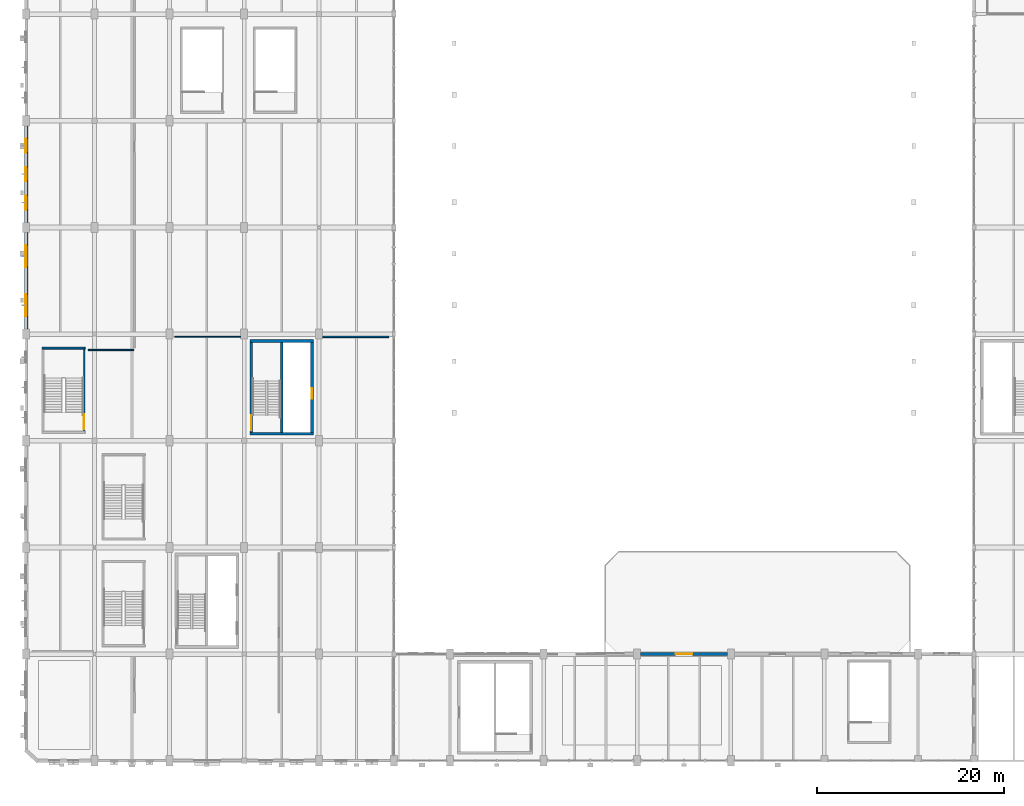
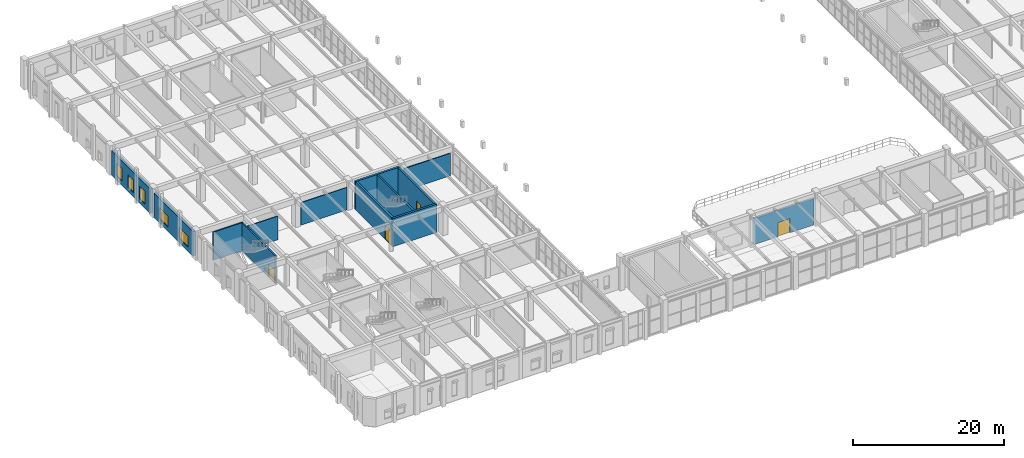
# One storey, part 81 of 106: 13 walls, 5 windows, 4 doors, 9 openings.
"""IFC4 building model written with IfcOpenShell, lengths in metres."""

from ifc_helpers import new_model, si_unit, direction, frame, frame_2d, origin, place, context, subcontext, project, spatial, rectangle, extrude, material, layer, layer_set, type_object, element, fill, save


model = new_model("IFC4")

# Units and contexts
model_context = context("Model", 3, precision=1e-05, world=origin(), true_north=direction((0.0, 1.0)))
body_context = subcontext(model_context, "Body", "Model", "MODEL_VIEW")
ifc_project = project(units=[si_unit("LENGTHUNIT", "METRE"), si_unit("AREAUNIT", "SQUARE_METRE"), si_unit("VOLUMEUNIT", "CUBIC_METRE"), si_unit("PLANEANGLEUNIT", "RADIAN"), si_unit("MASSUNIT", "GRAM", prefix="KILO"), si_unit("POWERUNIT", "WATT"), si_unit("THERMODYNAMICTEMPERATUREUNIT", "KELVIN")], contexts=[model_context])

# Site, building, storey
site_placement = place(None, origin())
site = spatial("IfcSite", under=ifc_project, at=site_placement, CompositionType="ELEMENT")
building_placement = place(site_placement, origin())
building = spatial("IfcBuilding", under=site, at=building_placement, Name="Kelmbourne Parkland Aquatics Centre", CompositionType="ELEMENT")
storey_placement = place(building_placement, frame((0.0, 0.0, 5.39990234375)))
storey = spatial("IfcBuildingStorey", under=building, at=storey_placement, Name="L01", CompositionType="ELEMENT", Elevation=5.39990234375)

# Walls
ifc_material_1 = material(Name="Concrete C40/50", Category="concrete")
ifc_layer_1 = layer(ifc_material_1, 0.25)
ifc_layer_set_1 = layer_set([ifc_layer_1], Name="Concrete C40/50")
wall_type_1 = type_object("IfcWallType", Name="W-CORE-250", PredefinedType="SHEAR", material=ifc_layer_set_1)
wall_1_placement = place(storey_placement, frame((28.0, 35.89990234375, 0.0), z_axis=(0.0, 0.0, 1.0), x_axis=(0.0, 1.0, 0.0)))
element("IfcWall", 1, at=wall_1_placement, inside=storey, type_object=wall_type_1, Name="West Wing North Passenger Core divider wall (L01)", PredefinedType="SHEAR", context=body_context, shape_type="SweptSolid", body=[
    extrude(rectangle(XDim=9.60009765625, YDim=0.25, at=frame_2d((4.800048828125, 0.0))), origin(), (0.0, 0.0, 1.0), 4.56005859375),
])
ifc_layer_2 = layer(ifc_material_1, 0.300048828125)
ifc_layer_set_2 = layer_set([ifc_layer_2], Name="Concrete C40/50")
wall_type_2 = type_object("IfcWallType", Name="W-CORE-300", PredefinedType="SHEAR", material=ifc_layer_set_2)
for number, where, z_axis, x_axis, name in (
    (2, (24.60009765625, 35.75, 0.0), (0.0, 0.0, 1.0), (1.0, 0.0, 0.0), "West Wing North Passenger Core south wall (L01)"),
    (3, (24.60009765625, 45.64990234375, 0.0), (0.0, 0.0, 1.0), (1.0, 0.0, 0.0), "West Wing North Passenger Core north wall (L01)"),
):
    element("IfcWall", number, at=place(storey_placement, frame(where, z_axis=z_axis, x_axis=x_axis)), inside=storey, type_object=wall_type_2, Name=name, PredefinedType="SHEAR", context=body_context, shape_type="SweptSolid", body=[
        extrude(rectangle(XDim=6.7998046875, YDim=0.300048828125, at=frame_2d((3.39990234375, 0.0))), origin(), (0.0, 0.0, 1.0), 4.56005859375),
    ])

# Wall, opening, door
wall_2_placement = place(storey_placement, frame((24.75, 35.89990234375, 0.0), z_axis=(0.0, 0.0, 1.0), x_axis=(0.0, 1.0, 0.0)))
wall_2 = element("IfcWall", 4, at=wall_2_placement, inside=storey, type_object=wall_type_2, Name="West Wing North Passenger Core west wall (L01)", PredefinedType="SHEAR", context=body_context, shape_type="SweptSolid", body=[
    extrude(rectangle(XDim=9.60009765625, YDim=0.300048828125, at=frame_2d((4.800048828125, 0.0))), origin(), (0.0, 0.0, 1.0), 4.56005859375),
])
opening_1_placement = place(wall_2_placement, frame((0.199951171875, 0.0, 0.0)))
opening_1 = element("IfcOpeningElement", 5, at=opening_1_placement, cuts=wall_2, Name="Opening FD02", PredefinedType="OPENING", context=body_context, shape_type="SweptSolid", body=[
    extrude(rectangle(XDim=1.60009765625, YDim=2.199951171875, at=frame_2d((0.800048828125, 1.10009765625))), frame((0.0, 0.162109375, 0.0), z_axis=(0.0, -1.0, 0.0), x_axis=(1.0, 0.0, 0.0)), (0.0, 0.0, 1.0), 0.323974609375),
])
ifc_material_2 = material(Name="Marine-grade stainless steel and fire-rated hardwood doorset", Category="steel")
ifc_layer_3 = layer(ifc_material_2, 0.050048828125)
ifc_layer_set_3 = layer_set([ifc_layer_3], Name="Marine-grade stainless steel and fire-rated hardwood doorset")
door_type_1 = type_object("IfcDoorType", Name="DR-FD-160", OperationType="NOTDEFINED", PredefinedType="DOOR", material=ifc_layer_set_3)
door_1_placement = place(opening_1_placement, origin())
door_1 = element("IfcDoor", 6, at=door_1_placement, inside=storey, type_object=door_type_1, Name="Fire stair door ST02 (L01)", OperationType="DOUBLE_DOOR_SINGLE_SWING", OverallHeight=2.199951171875, OverallWidth=1.60009765625, PredefinedType="DOOR", context=body_context, shape_type="SweptSolid", body=[
    extrude(rectangle(XDim=1.60009765625, YDim=2.199951171875, at=frame_2d((0.800048828125, 1.10009765625))), frame((0.0, 0.02490234375, 0.0), z_axis=(0.0, -1.0, 0.0), x_axis=(1.0, 0.0, 0.0)), (0.0, 0.0, 1.0), 0.050048828125),
])
fill(opening_1, door_1)

wall_3_placement = place(storey_placement, frame((31.25, 35.89990234375, 0.0), z_axis=(0.0, 0.0, 1.0), x_axis=(0.0, 1.0, 0.0)))
wall_3 = element("IfcWall", 7, at=wall_3_placement, inside=storey, type_object=wall_type_2, Name="West Wing North Passenger Core east wall (L01)", PredefinedType="SHEAR", context=body_context, shape_type="SweptSolid", body=[
    extrude(rectangle(XDim=9.60009765625, YDim=0.300048828125, at=frame_2d((4.800048828125, 0.0))), origin(), (0.0, 0.0, 1.0), 4.56005859375),
])
opening_2_placement = place(wall_3_placement, frame((3.60009765625, 0.0, 0.0)))
opening_2 = element("IfcOpeningElement", 8, at=opening_2_placement, cuts=wall_3, Name="Opening LD01", PredefinedType="OPENING", context=body_context, shape_type="SweptSolid", body=[
    extrude(rectangle(XDim=1.10009765625, YDim=2.199951171875, at=frame_2d((0.550048828125, 1.10009765625))), frame((0.0, 0.162109375, 0.0), z_axis=(0.0, -1.0, 0.0), x_axis=(1.0, 0.0, 0.0)), (0.0, 0.0, 1.0), 0.323974609375),
])
ifc_layer_4 = layer(ifc_material_2, 0.050048828125)
ifc_layer_set_4 = layer_set([ifc_layer_4], Name="Marine-grade stainless steel and fire-rated hardwood doorset")
door_type_2 = type_object("IfcDoorType", Name="DR-LD-110", OperationType="NOTDEFINED", PredefinedType="DOOR", material=ifc_layer_set_4)
door_2_placement = place(opening_2_placement, origin())
door_2 = element("IfcDoor", 9, at=door_2_placement, inside=storey, type_object=door_type_2, Name="Lift landing sliding door LF03 (L01)", OperationType="SLIDING_TO_LEFT", OverallHeight=2.199951171875, OverallWidth=1.10009765625, PredefinedType="DOOR", context=body_context, shape_type="SweptSolid", body=[
    extrude(rectangle(XDim=1.10009765625, YDim=2.199951171875, at=frame_2d((0.550048828125, 1.10009765625))), frame((0.0, 0.02490234375, 0.0), z_axis=(0.0, -1.0, 0.0), x_axis=(1.0, 0.0, 0.0)), (0.0, 0.0, 1.0), 0.050048828125),
])
fill(opening_2, door_2)

ifc_material_3 = material(Name="Russet clinker clay brickwork", Category="masonry")
ifc_layer_5 = layer(ifc_material_3, 0.31005859375)
ifc_layer_set_5 = layer_set([ifc_layer_5], Name="Russet clinker clay brickwork")
wall_type_3 = type_object("IfcWallType", Name="W-EXT-310", PredefinedType="STANDARD", material=ifc_layer_set_5)
wall_4_placement = place(storey_placement, frame((66.376953125, 12.199951171875, 0.0), z_axis=(0.0, 0.0, 1.0), x_axis=(1.0, 0.0, 0.0)))
wall_4 = element("IfcWall", 10, at=wall_4_placement, inside=storey, type_object=wall_type_3, Name="Exterior polychrome brick wall EW-L01-077", PredefinedType="STANDARD", context=body_context, shape_type="SweptSolid", body=[
    extrude(rectangle(XDim=9.24609375, YDim=0.31005859375, at=frame_2d((4.623046875, 0.0))), origin(), (0.0, 0.0, 1.0), 4.2451171875),
])
opening_3_placement = place(wall_4_placement, frame((3.722900390625, 0.0, 0.0)))
opening_3 = element("IfcOpeningElement", 11, at=opening_3_placement, cuts=wall_4, Name="Opening TRD1", PredefinedType="OPENING", context=body_context, shape_type="SweptSolid", body=[
    extrude(rectangle(XDim=1.800048828125, YDim=2.300048828125, at=frame_2d((0.89990234375, 1.14990234375))), frame((0.0, 0.1669921875, 0.0), z_axis=(0.0, -1.0, 0.0), x_axis=(1.0, 0.0, 0.0)), (0.0, 0.0, 1.0), 0.333984375),
])
ifc_material_4 = material(Name="Thermally broken anodised aluminium commercial door", Category="aluminium")
ifc_layer_6 = layer(ifc_material_4, 0.06005859375)
ifc_layer_set_6 = layer_set([ifc_layer_6], Name="Thermally broken anodised aluminium commercial door")
door_type_3 = type_object("IfcDoorType", Name="DR-TER-180", OperationType="NOTDEFINED", PredefinedType="DOOR", material=ifc_layer_set_6)
door_3_placement = place(opening_3_placement, origin())
door_3 = element("IfcDoor", 12, at=door_3_placement, inside=storey, type_object=door_type_3, Name="Walkable terrace access door EW-L01-077", OperationType="DOUBLE_DOOR_SINGLE_SWING", OverallHeight=2.300048828125, OverallWidth=1.800048828125, PredefinedType="DOOR", context=body_context, shape_type="SweptSolid", body=[
    extrude(rectangle(XDim=1.800048828125, YDim=2.300048828125, at=frame_2d((0.89990234375, 1.14990234375))), frame((0.0, 0.02490234375, 0.0), z_axis=(0.0, -1.0, 0.0), x_axis=(1.0, 0.0, 0.0)), (0.0, 0.0, 1.0), 0.050048828125),
])
fill(opening_3, door_3)

# Wall, openings, windows
ifc_material_5 = material(Name="Polychrome glazed brick header coursework", Category="masonry")
ifc_layer_7 = layer(ifc_material_5, 0.35009765625)
ifc_layer_set_7 = layer_set([ifc_layer_7], Name="Polychrome glazed brick header coursework")
wall_type_4 = type_object("IfcWallType", Name="W-EXT-350", PredefinedType="STANDARD", material=ifc_layer_set_7)
wall_5_placement = place(storey_placement, frame((0.699951171875, 58.35205078125, 0.0), z_axis=(0.0, 0.0, 1.0), x_axis=(0.0, 1.0, 0.0)))
wall_5 = element("IfcWall", 13, at=wall_5_placement, inside=storey, type_object=wall_type_4, Name="Exterior polychrome brick wall EW-L01-061", PredefinedType="STANDARD", context=body_context, shape_type="SweptSolid", body=[
    extrude(rectangle(XDim=10.2958984375, YDim=0.35009765625, at=frame_2d((5.14794921875, 0.0))), origin(), (0.0, 0.0, 1.0), 4.01220703125),
])
opening_4_placement = place(wall_5_placement, frame((1.35009765625, 0.0, 0.75)))
opening_4 = element("IfcOpeningElement", 14, at=opening_4_placement, cuts=wall_5, Name="Opening W09", PredefinedType="OPENING", context=body_context, shape_type="SweptSolid", body=[
    extrude(rectangle(XDim=1.5, YDim=2.050048828125, at=frame_2d((0.75, 1.02490234375))), frame((0.0, 0.18701171875, 0.0), z_axis=(0.0, -1.0, 0.0), x_axis=(1.0, 0.0, 0.0)), (0.0, 0.0, 1.0), 0.3740234375),
])
opening_5_placement = place(wall_5_placement, frame((4.39794921875, 0.0, 0.75)))
opening_5 = element("IfcOpeningElement", 15, at=opening_5_placement, cuts=wall_5, Name="Opening W09", PredefinedType="OPENING", context=body_context, shape_type="SweptSolid", body=[
    extrude(rectangle(XDim=1.5, YDim=2.050048828125, at=frame_2d((0.75, 1.02490234375))), frame((0.0, 0.18701171875, 0.0), z_axis=(0.0, -1.0, 0.0), x_axis=(1.0, 0.0, 0.0)), (0.0, 0.0, 1.0), 0.3740234375),
])
opening_6_placement = place(wall_5_placement, frame((7.446044921875, 0.0, 0.75)))
opening_6 = element("IfcOpeningElement", 16, at=opening_6_placement, cuts=wall_5, Name="Opening W09", PredefinedType="OPENING", context=body_context, shape_type="SweptSolid", body=[
    extrude(rectangle(XDim=1.5, YDim=2.050048828125, at=frame_2d((0.75, 1.02490234375))), frame((0.0, 0.18701171875, 0.0), z_axis=(0.0, -1.0, 0.0), x_axis=(1.0, 0.0, 0.0)), (0.0, 0.0, 1.0), 0.3740234375),
])
ifc_material_6 = material(Name="Thermally broken anodised aluminium window with low-e glass", Category="aluminium")
ifc_layer_8 = layer(ifc_material_6, 0.090087890625)
ifc_layer_set_8 = layer_set([ifc_layer_8], Name="Thermally broken anodised aluminium window with low-e glass")
window_type_1 = type_object("IfcWindowType", Name="WN-09", PartitioningType="DOUBLE_PANEL_VERTICAL", PredefinedType="WINDOW", material=ifc_layer_set_8)
window_1_placement = place(opening_4_placement, origin())
window_1 = element("IfcWindow", 17, at=window_1_placement, inside=storey, type_object=window_type_1, Name="Deep-reveal masonry window W09", OverallHeight=2.050048828125, OverallWidth=1.5, PartitioningType="DOUBLE_PANEL_VERTICAL", PredefinedType="WINDOW", context=body_context, shape_type="SweptSolid", body=[
    extrude(rectangle(XDim=1.5, YDim=2.050048828125, at=frame_2d((0.75, 1.02490234375))), frame((0.0, 0.080078125, 0.0), z_axis=(0.0, -1.0, 0.0), x_axis=(1.0, 0.0, 0.0)), (0.0, 0.0, 1.0), 0.06005859375),
])
fill(opening_4, window_1)
window_2_placement = place(opening_5_placement, origin())
window_2 = element("IfcWindow", 18, at=window_2_placement, inside=storey, type_object=window_type_1, Name="Deep-reveal masonry window W09", OverallHeight=2.050048828125, OverallWidth=1.5, PartitioningType="DOUBLE_PANEL_VERTICAL", PredefinedType="WINDOW", context=body_context, shape_type="SweptSolid", body=[
    extrude(rectangle(XDim=1.5, YDim=2.050048828125, at=frame_2d((0.75, 1.02490234375))), frame((0.0, 0.080078125, 0.0), z_axis=(0.0, -1.0, 0.0), x_axis=(1.0, 0.0, 0.0)), (0.0, 0.0, 1.0), 0.06005859375),
])
fill(opening_5, window_2)
window_3_placement = place(opening_6_placement, origin())
window_3 = element("IfcWindow", 19, at=window_3_placement, inside=storey, type_object=window_type_1, Name="Deep-reveal masonry window W09", OverallHeight=2.050048828125, OverallWidth=1.5, PartitioningType="DOUBLE_PANEL_VERTICAL", PredefinedType="WINDOW", context=body_context, shape_type="SweptSolid", body=[
    extrude(rectangle(XDim=1.5, YDim=2.050048828125, at=frame_2d((0.75, 1.02490234375))), frame((0.0, 0.080078125, 0.0), z_axis=(0.0, -1.0, 0.0), x_axis=(1.0, 0.0, 0.0)), (0.0, 0.0, 1.0), 0.06005859375),
])
fill(opening_6, window_3)

ifc_layer_9 = layer(ifc_material_3, 0.389892578125)
ifc_layer_set_9 = layer_set([ifc_layer_9], Name="Russet clinker clay brickwork")
wall_type_5 = type_object("IfcWallType", Name="W-EXT-390", PredefinedType="STANDARD", material=ifc_layer_set_9)
wall_6_placement = place(storey_placement, frame((0.699951171875, 46.951904296875, 0.0), z_axis=(0.0, 0.0, 1.0), x_axis=(0.0, 1.0, 0.0)))
wall_6 = element("IfcWall", 20, at=wall_6_placement, inside=storey, type_object=wall_type_5, Name="Exterior polychrome brick wall EW-L01-060", PredefinedType="STANDARD", context=body_context, shape_type="SweptSolid", body=[
    extrude(rectangle(XDim=10.296142578125, YDim=0.389892578125, at=frame_2d((5.14794921875, 0.0))), origin(), (0.0, 0.0, 1.0), 4.01220703125),
])
opening_7_placement = place(wall_6_placement, frame((1.35009765625, 0.0, 0.75)))
opening_7 = element("IfcOpeningElement", 21, at=opening_7_placement, cuts=wall_6, Name="Opening W06", PredefinedType="OPENING", context=body_context, shape_type="SweptSolid", body=[
    extrude(rectangle(XDim=2.35009765625, YDim=1.75, at=frame_2d((1.175048828125, 0.875))), frame((0.0, 0.20703125, 0.0), z_axis=(0.0, -1.0, 0.0), x_axis=(1.0, 0.0, 0.0)), (0.0, 0.0, 1.0), 0.413818359375),
])
opening_8_placement = place(wall_6_placement, frame((6.595947265625, 0.0, 0.75)))
opening_8 = element("IfcOpeningElement", 22, at=opening_8_placement, cuts=wall_6, Name="Opening W06", PredefinedType="OPENING", context=body_context, shape_type="SweptSolid", body=[
    extrude(rectangle(XDim=2.35009765625, YDim=1.75, at=frame_2d((1.175048828125, 0.875))), frame((0.0, 0.20703125, 0.0), z_axis=(0.0, -1.0, 0.0), x_axis=(1.0, 0.0, 0.0)), (0.0, 0.0, 1.0), 0.413818359375),
])
ifc_layer_10 = layer(ifc_material_6, 0.090087890625)
ifc_layer_set_10 = layer_set([ifc_layer_10], Name="Thermally broken anodised aluminium window with low-e glass")
window_type_2 = type_object("IfcWindowType", Name="WN-06", PartitioningType="TRIPLE_PANEL_VERTICAL", PredefinedType="WINDOW", material=ifc_layer_set_10)
window_4_placement = place(opening_7_placement, origin())
window_4 = element("IfcWindow", 23, at=window_4_placement, inside=storey, type_object=window_type_2, Name="Deep-reveal masonry window W06", OverallHeight=1.75, OverallWidth=2.35009765625, PartitioningType="TRIPLE_PANEL_VERTICAL", PredefinedType="WINDOW", context=body_context, shape_type="SweptSolid", body=[
    extrude(rectangle(XDim=2.35009765625, YDim=1.75, at=frame_2d((1.175048828125, 0.875))), frame((0.0, 0.080078125, 0.0), z_axis=(0.0, -1.0, 0.0), x_axis=(1.0, 0.0, 0.0)), (0.0, 0.0, 1.0), 0.06005859375),
])
fill(opening_7, window_4)
window_5_placement = place(opening_8_placement, origin())
window_5 = element("IfcWindow", 24, at=window_5_placement, inside=storey, type_object=window_type_2, Name="Deep-reveal masonry window W06", OverallHeight=1.75, OverallWidth=2.35009765625, PartitioningType="TRIPLE_PANEL_VERTICAL", PredefinedType="WINDOW", context=body_context, shape_type="SweptSolid", body=[
    extrude(rectangle(XDim=2.35009765625, YDim=1.75, at=frame_2d((1.175048828125, 0.875))), frame((0.0, 0.080078125, 0.0), z_axis=(0.0, -1.0, 0.0), x_axis=(1.0, 0.0, 0.0)), (0.0, 0.0, 1.0), 0.06005859375),
])
fill(opening_8, window_5)

# Wall
ifc_material_7 = material(Name="Concrete blockwork C32/40", Category="masonry")
ifc_layer_11 = layer(ifc_material_7, 0.199951171875)
ifc_layer_set_11 = layer_set([ifc_layer_11], Name="Concrete blockwork C32/40")
wall_type_6 = type_object("IfcWallType", Name="W-FIRE-200", PredefinedType="SOLIDWALL", material=ifc_layer_set_11)
wall_7_placement = place(storey_placement, frame((2.39990234375, 44.89990234375, 0.0), z_axis=(0.0, 0.0, 1.0), x_axis=(1.0, 0.0, 0.0)))
element("IfcWall", 25, at=wall_7_placement, inside=storey, type_object=wall_type_6, Name="West Hydrotherapy Exit Stair north enclosure (L01)", PredefinedType="SOLIDWALL", context=body_context, shape_type="SweptSolid", body=[
    extrude(rectangle(XDim=4.60009765625, YDim=0.199951171875, at=frame_2d((2.300048828125, 0.0))), origin(), (0.0, 0.0, 1.0), 4.56005859375),
])

# Wall, opening, door
wall_8_placement = place(storey_placement, frame((6.89990234375, 36.0, 0.0), z_axis=(0.0, 0.0, 1.0), x_axis=(0.0, 1.0, 0.0)))
wall_8 = element("IfcWall", 26, at=wall_8_placement, inside=storey, type_object=wall_type_6, Name="West Hydrotherapy Exit Stair east enclosure (L01)", PredefinedType="SOLIDWALL", context=body_context, shape_type="SweptSolid", body=[
    extrude(rectangle(XDim=8.800048828125, YDim=0.199951171875, at=frame_2d((4.39990234375, 0.0))), origin(), (0.0, 0.0, 1.0), 4.56005859375),
])
opening_9_placement = place(wall_8_placement, frame((0.219970703125, 0.0, 0.0)))
opening_9 = element("IfcOpeningElement", 27, at=opening_9_placement, cuts=wall_8, Name="Opening FD02", PredefinedType="OPENING", context=body_context, shape_type="SweptSolid", body=[
    extrude(rectangle(XDim=1.60009765625, YDim=2.199951171875, at=frame_2d((0.800048828125, 1.10009765625))), frame((0.0, 0.11181640625, 0.0), z_axis=(0.0, -1.0, 0.0), x_axis=(1.0, 0.0, 0.0)), (0.0, 0.0, 1.0), 0.223876953125),
])
door_4_placement = place(opening_9_placement, frame((1.60009765625, 0.0, 0.0), z_axis=(0.0, 0.0, 1.0), x_axis=(-1.0, 0.0, 0.0)))
door_4 = element("IfcDoor", 28, at=door_4_placement, inside=storey, type_object=door_type_1, Name="Exit stair fire door ST08 (L01)", OperationType="DOUBLE_DOOR_SINGLE_SWING", OverallHeight=2.199951171875, OverallWidth=1.60009765625, PredefinedType="DOOR", context=body_context, shape_type="SweptSolid", body=[
    extrude(rectangle(XDim=1.60009765625, YDim=2.199951171875, at=frame_2d((0.800048828125, 1.10009765625))), frame((0.0, 0.02490234375, 0.0), z_axis=(0.0, -1.0, 0.0), x_axis=(1.0, 0.0, 0.0)), (0.0, 0.0, 1.0), 0.050048828125),
])
fill(opening_9, door_4)

# Walls
ifc_material_8 = material(Name="Moisture-resistant acoustic stud partition", Category="gypsum")
ifc_layer_12 = layer(ifc_material_8, 0.1201171875)
ifc_layer_set_12 = layer_set([ifc_layer_12], Name="Moisture-resistant acoustic stud partition")
wall_type_7 = type_object("IfcWallType", Name="W-PART-120", PredefinedType="PARTITIONING", material=ifc_layer_set_12)
wall_9_placement = place(storey_placement, frame((7.35009765625, 44.699951171875, 0.0), z_axis=(0.0, 0.0, 1.0), x_axis=(1.0, 0.0, 0.0)))
element("IfcWall", 29, at=wall_9_placement, inside=storey, type_object=wall_type_7, Name="Interior partition PT-L01-067", PredefinedType="PARTITIONING", context=body_context, shape_type="SweptSolid", body=[
    extrude(rectangle(XDim=4.85986328125, YDim=0.1201171875, at=frame_2d((2.429931640625, 0.0))), origin(), (0.0, 0.0, 1.0), 3.84521484375),
])
wall_10_placement = place(storey_placement, frame((16.550048828125, 46.10009765625, 0.0), z_axis=(0.0, 0.0, 1.0), x_axis=(1.0, 0.0, 0.0)))
element("IfcWall", 30, at=wall_10_placement, inside=storey, type_object=wall_type_7, Name="Interior partition PT-L01-071", PredefinedType="PARTITIONING", context=body_context, shape_type="SweptSolid", body=[
    extrude(rectangle(XDim=7.072998046875, YDim=0.1201171875, at=frame_2d((3.53662109375, 0.0))), origin(), (0.0, 0.0, 1.0), 3.64501953125),
])
ifc_layer_13 = layer(ifc_material_8, 0.14990234375)
ifc_layer_set_13 = layer_set([ifc_layer_13], Name="Moisture-resistant acoustic stud partition")
wall_type_8 = type_object("IfcWallType", Name="W-PART-150", PredefinedType="PARTITIONING", material=ifc_layer_set_13)
wall_11_placement = place(storey_placement, frame((32.376953125, 46.10009765625, 0.0), z_axis=(0.0, 0.0, 1.0), x_axis=(1.0, 0.0, 0.0)))
element("IfcWall", 31, at=wall_11_placement, inside=storey, type_object=wall_type_8, Name="Interior partition PT-L01-072", PredefinedType="PARTITIONING", context=body_context, shape_type="SweptSolid", body=[
    extrude(rectangle(XDim=7.072998046875, YDim=0.14990234375, at=frame_2d((3.53662109375, 0.0))), origin(), (0.0, 0.0, 1.0), 3.64501953125),
])

save(model, "model.ifc")
